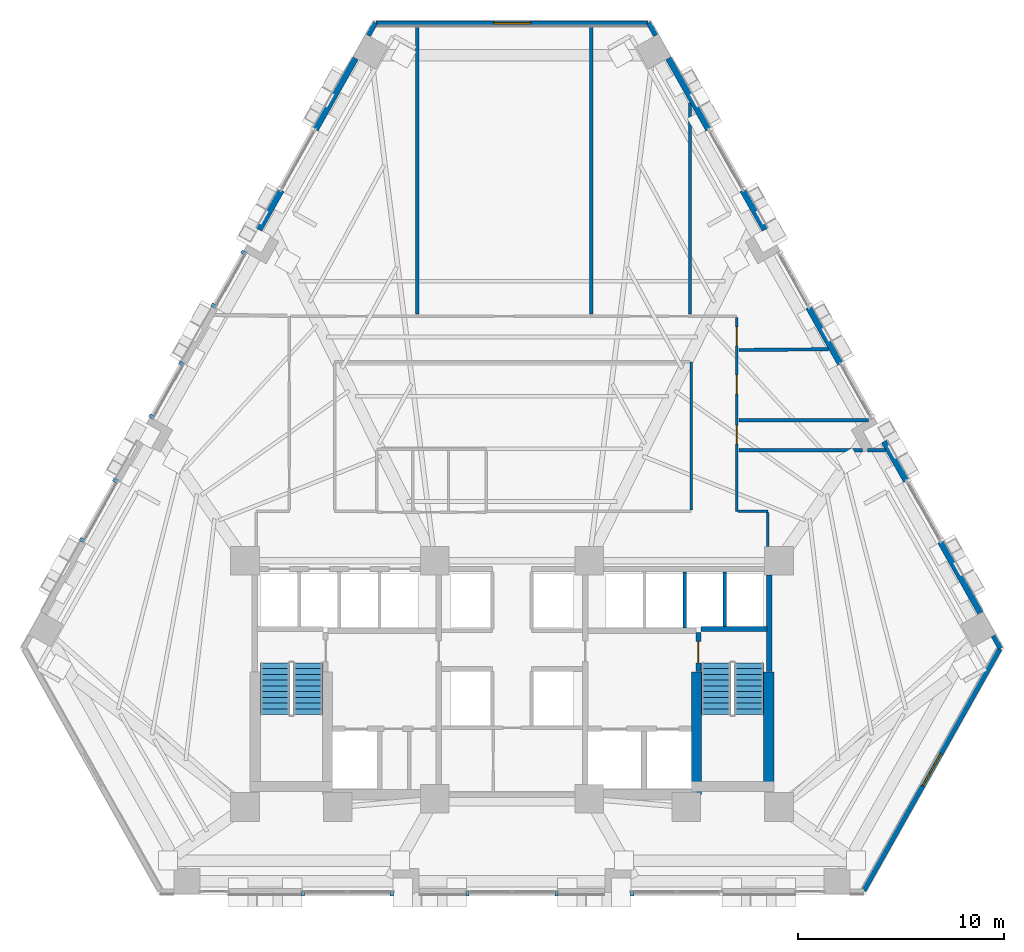
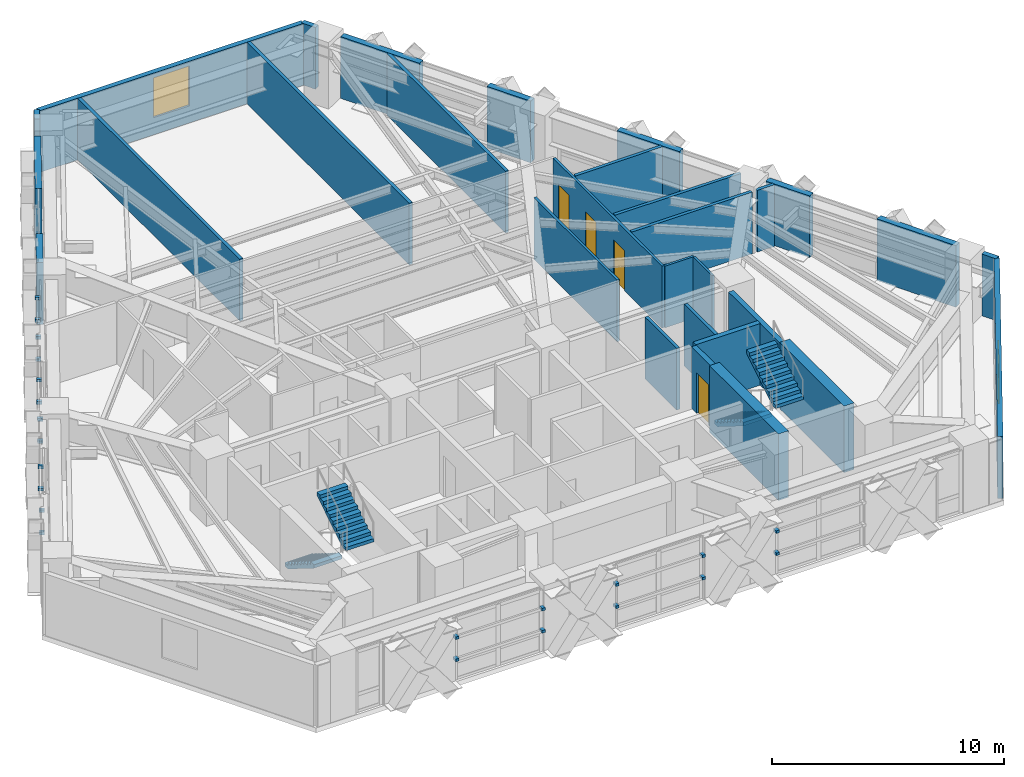
# One storey, part 9 of 14: 30 walls, 22 discrete accessories, 4 doors, 4 stair flights, 2 windows, 6 openings, 2 elements without a shape of their own.
"""IFC4 building model written with IfcOpenShell, lengths in metres."""

from ifc_helpers import new_model, si_unit, direction, frame, frame_2d, origin, origin_2d, place, context, subcontext, project, spatial, polyline, rectangle, outline, extrude, material, layer, layer_set, type_object, element, fill, aggregate, save


model = new_model("IFC4")

# Units and contexts
model_context = context("Model", 3, precision=1e-05, world=origin(), true_north=direction((0.0, 1.0)))
body_context = subcontext(model_context, "Body", "Model", "MODEL_VIEW")
ifc_project = project(units=[si_unit("LENGTHUNIT", "METRE"), si_unit("AREAUNIT", "SQUARE_METRE"), si_unit("VOLUMEUNIT", "CUBIC_METRE"), si_unit("PLANEANGLEUNIT", "RADIAN"), si_unit("MASSUNIT", "GRAM", prefix="KILO")], contexts=[model_context])

# Site, building, storey
site_placement = place(None, origin())
site = spatial("IfcSite", under=ifc_project, at=site_placement, CompositionType="ELEMENT")
building_placement = place(site_placement, origin())
building = spatial("IfcBuilding", under=site, at=building_placement, Name="Quenlor Broadcast Tower", CompositionType="ELEMENT")
storey_placement = place(building_placement, frame((0.0, 0.0, 73.10009765625)))
storey = spatial("IfcBuildingStorey", under=building, at=storey_placement, Name="L19", CompositionType="ELEMENT", Elevation=73.10009765625)

# Walls
ifc_material_1 = material(Name="Concrete C65/80", Category="concrete")
ifc_layer_1 = layer(ifc_material_1, 0.5)
ifc_layer_set_1 = layer_set([ifc_layer_1], Name="Core Concrete C65/80 Shear Wall 500")
wall_type_1 = type_object("IfcWallType", Name="Core Concrete C65/80 Shear Wall 500", PredefinedType="SHEAR", material=ifc_layer_set_1)
wall_1_placement = place(storey_placement, frame((12.449951171875, -15.75, 0.0), z_axis=(0.0, 0.0, 1.0), x_axis=(0.0, 1.0, 0.0)))
element("IfcWall", 1, at=wall_1_placement, inside=storey, type_object=wall_type_1, Name="L19 Core Shear Wall WF-E", PredefinedType="SHEAR", context=body_context, shape_type="SweptSolid", body=[
    extrude(rectangle(XDim=5.550048828125, YDim=0.5, at=frame_2d((2.77490234375, 0.0))), origin(), (0.0, 0.0, 1.0), 3.5),
])
wall_2_placement = place(storey_placement, frame((8.949951171875, -16.14990234375, 0.0), z_axis=(0.0, 0.0, 1.0), x_axis=(0.0, 1.0, 0.0)))
element("IfcWall", 2, at=wall_2_placement, inside=storey, type_object=wall_type_1, Name="L19 Core Shear Wall WI-E", PredefinedType="SHEAR", context=body_context, shape_type="SweptSolid", body=[
    extrude(rectangle(XDim=5.949951171875, YDim=0.5, at=frame_2d((2.97509765625, 0.0))), origin(), (0.0, 0.0, 1.0), 3.5),
])

# Wall, opening, door
ifc_material_2 = material(Name="Concrete C40/50", Category="concrete")
ifc_layer_2 = layer(ifc_material_2, 0.25)
ifc_layer_set_2 = layer_set([ifc_layer_2], Name="Fire Rated Concrete C40/50 Core Wall 250")
wall_type_2 = type_object("IfcWallType", Name="Fire Rated Concrete C40/50 Core Wall 250", PredefinedType="PARTITIONING", material=ifc_layer_set_2)
wall_3_placement = place(storey_placement, frame((9.0400390625, -10.179931640625, 0.0), z_axis=(0.0, 0.0, 1.0), x_axis=(0.0, 1.0, 0.0)))
wall_3 = element("IfcWall", 3, at=wall_3_placement, inside=storey, type_object=wall_type_2, Name="L19 Interior Wall CW-ST2-DR", PredefinedType="PARTITIONING", context=body_context, shape_type="SweptSolid", body=[
    extrude(rectangle(XDim=1.89990234375, YDim=0.25, at=frame_2d((0.949951171875, 0.0))), origin(), (0.0, 0.0, 1.0), 3.25),
])
opening_1_placement = place(wall_3_placement, frame((0.419921875, 0.0, 0.0)))
opening_1 = element("IfcOpeningElement", 4, at=opening_1_placement, cuts=wall_3, Name="Opening FD-1", PredefinedType="OPENING", context=body_context, shape_type="SweptSolid", body=[
    extrude(rectangle(XDim=1.050048828125, YDim=2.14990234375, at=frame_2d((0.52490234375, 1.074951171875))), frame((0.0, 0.135009765625, 0.0), z_axis=(0.0, -1.0, 0.0), x_axis=(1.0, 0.0, 0.0)), (0.0, 0.0, 1.0), 0.27001953125),
])
ifc_material_3 = material(Name="Fire Rated Steel Door Leaf", Category="steel")
door_type_1 = type_object("IfcDoorType", Name="Fire Isolated Stair Door 1050x2150", OperationType="NOTDEFINED", PredefinedType="DOOR", material=ifc_material_3)
door_1_placement = place(opening_1_placement, origin())
door_1 = element("IfcDoor", 5, at=door_1_placement, inside=storey, type_object=door_type_1, Name="L19 Door DR-ST2", OperationType="SINGLE_SWING_RIGHT", OverallHeight=2.14990234375, OverallWidth=1.050048828125, PredefinedType="DOOR", context=body_context, shape_type="SweptSolid", body=[
    extrude(rectangle(XDim=1.050048828125, YDim=2.14990234375, at=frame_2d((0.52490234375, 1.074951171875))), frame((0.0, 0.02490234375, 0.0), z_axis=(0.0, -1.0, 0.0), x_axis=(1.0, 0.0, 0.0)), (0.0, 0.0, 1.0), 0.050048828125),
])
fill(opening_1, door_1)

# Walls
wall_4_placement = place(storey_placement, frame((9.159912109375, -8.1201171875, 0.0), z_axis=(0.0, 0.0, 1.0), x_axis=(1.0, 0.0, 0.0)))
element("IfcWall", 6, at=wall_4_placement, inside=storey, type_object=wall_type_2, Name="L19 Interior Wall CW-ST2-N", PredefinedType="PARTITIONING", context=body_context, shape_type="SweptSolid", body=[
    extrude(rectangle(XDim=3.219970703125, YDim=0.25, at=frame_2d((1.60986328125, 0.0))), origin(), (0.0, 0.0, 1.0), 3.25),
])
wall_5_placement = place(storey_placement, frame((12.47998046875, -10.179931640625, 0.0), z_axis=(0.0, 0.0, 1.0), x_axis=(0.0, 1.0, 0.0)))
element("IfcWall", 7, at=wall_5_placement, inside=storey, type_object=wall_type_2, Name="L19 Interior Wall CW-ST2-E2", PredefinedType="PARTITIONING", context=body_context, shape_type="SweptSolid", body=[
    extrude(rectangle(XDim=4.677978515625, YDim=0.25, at=frame_2d((2.3388671875, 0.0))), origin(), (0.0, 0.0, 1.0), 3.25),
])
ifc_material_4 = material(Name="Gypsum Fireboard Partition", Category="other")
ifc_layer_3 = layer(ifc_material_4, 0.159912109375)
ifc_layer_set_3 = layer_set([ifc_layer_3], Name="Fire Rated Shaft and Corridor Partition 160")
wall_type_3 = type_object("IfcWallType", Name="Fire Rated Shaft and Corridor Partition 160", PredefinedType="PARTITIONING", material=ifc_layer_set_3)
wall_6_placement = place(storey_placement, frame((8.375, -8.072998046875, 0.0), z_axis=(0.0, 0.0, 1.0), x_axis=(0.0, 1.0, 0.0)))
element("IfcWall", 8, at=wall_6_placement, inside=storey, type_object=wall_type_3, Name="L19 Interior Wall CW-PLH-D2", PredefinedType="PARTITIONING", context=body_context, shape_type="SweptSolid", body=[
    extrude(rectangle(XDim=2.73291015625, YDim=0.159912109375, at=frame_2d((1.366455078125, 0.0))), origin(), (0.0, 0.0, 1.0), 3.25),
])
wall_7_placement = place(storey_placement, frame((10.324951171875, -7.992919921875, 0.0), z_axis=(0.0, 0.0, 1.0), x_axis=(0.0, 1.0, 0.0)))
element("IfcWall", 9, at=wall_7_placement, inside=storey, type_object=wall_type_3, Name="L19 Interior Wall CW-PLH-D3", PredefinedType="PARTITIONING", context=body_context, shape_type="SweptSolid", body=[
    extrude(rectangle(XDim=2.65283203125, YDim=0.159912109375, at=frame_2d((1.326416015625, 0.0))), origin(), (0.0, 0.0, 1.0), 3.25),
])
for number, where, z_axis, x_axis, name in (
    (10, (3.840087890625, 21.14990234375, 0.0), (0.0, 0.0, 1.0), (0.0, -1.0, 0.0), "L19 Interior Wall PW-DV-01"),
    (11, (-4.60009765625, 7.159912109375, 0.0), (0.0, 0.0, 1.0), (0.0, 1.0, 0.0), "L19 Interior Wall PW-DV-02"),
):
    element("IfcWall", number, at=place(storey_placement, frame(where, z_axis=z_axis, x_axis=x_axis)), inside=storey, type_object=wall_type_3, Name=name, PredefinedType="PARTITIONING", context=body_context, shape_type="SweptSolid", body=[
        extrude(rectangle(XDim=13.989990234375, YDim=0.159912109375, at=frame_2d((6.9951171875, 0.0))), origin(), (0.0, 0.0, 1.0), 3.25),
    ])
wall_8_placement = place(storey_placement, frame((8.639892578125, 17.403564453125, 0.0), z_axis=(0.0, 0.0, 1.0), x_axis=(0.0, -1.0, 0.0)))
element("IfcWall", 12, at=wall_8_placement, inside=storey, type_object=wall_type_3, Name="L19 Interior Wall PW-DV-03", PredefinedType="PARTITIONING", context=body_context, shape_type="SweptSolid", body=[
    extrude(rectangle(XDim=10.24365234375, YDim=0.159912109375, at=frame_2d((5.121826171875, 0.0))), origin(), (0.0, 0.0, 1.0), 3.25),
])
wall_9_placement = place(storey_placement, frame((15.3583984375, 5.45947265625, 0.0), z_axis=(0.0, 0.0, 1.0), x_axis=(-0.999961735666, -0.008747982883, 0.0)))
element("IfcWall", 13, at=wall_9_placement, inside=storey, type_object=wall_type_3, Name="L19 Interior Wall PW-DV-05", PredefinedType="PARTITIONING", context=body_context, shape_type="SweptSolid", body=[
    extrude(rectangle(XDim=4.353759765625, YDim=0.159912109375, at=frame_2d((2.1767578125, 0.0))), origin(), (0.0, 0.0, 1.0), 3.25),
])
wall_10_placement = place(storey_placement, frame((17.2841796875, 2.02001953125, 0.0), z_axis=(0.0, 0.0, 1.0), x_axis=(-1.0, 0.0, 0.0)))
element("IfcWall", 14, at=wall_10_placement, inside=storey, type_object=wall_type_3, Name="L19 Interior Wall PW-DV-06", PredefinedType="PARTITIONING", context=body_context, shape_type="SweptSolid", body=[
    extrude(rectangle(XDim=6.279296875, YDim=0.159912109375, at=frame_2d((3.1396484375, 0.0))), origin(), (0.0, 0.0, 1.0), 3.25),
])
wall_11_placement = place(storey_placement, frame((18.11279296875, 0.563232421875, 0.0), z_axis=(0.0, 0.0, 1.0), x_axis=(-1.0, 0.0, 0.0)))
element("IfcWall", 15, at=wall_11_placement, inside=storey, type_object=wall_type_3, Name="L19 Interior Wall PW-DV-07", PredefinedType="PARTITIONING", context=body_context, shape_type="SweptSolid", body=[
    extrude(rectangle(XDim=0.860595703125, YDim=0.159912109375, at=frame_2d((0.43017578125, 0.0))), origin(), (0.0, 0.0, 1.0), 3.25),
])
wall_12_placement = place(storey_placement, frame((17.005615234375, 0.563232421875, 0.0), z_axis=(0.0, 0.0, 1.0), x_axis=(-1.0, 0.0, 0.0)))
element("IfcWall", 16, at=wall_12_placement, inside=storey, type_object=wall_type_3, Name="L19 Interior Wall PW-DV-07S2", PredefinedType="PARTITIONING", context=body_context, shape_type="SweptSolid", body=[
    extrude(rectangle(XDim=6.000732421875, YDim=0.159912109375, at=frame_2d((3.00048828125, 0.0))), origin(), (0.0, 0.0, 1.0), 3.25),
])

# Wall, openings, doors
ifc_material_5 = material(Name="Gypsum Plasterboard Partition", Category="other")
ifc_layer_4 = layer(ifc_material_5, 0.1201171875)
ifc_layer_set_4 = layer_set([ifc_layer_4], Name="Standard Office Partition 120")
wall_type_4 = type_object("IfcWallType", Name="Standard Office Partition 120", PredefinedType="PARTITIONING", material=ifc_layer_set_4)
wall_13_placement = place(storey_placement, frame((10.89501953125, 6.988037109375, 0.0), z_axis=(0.0, 0.0, 1.0), x_axis=(0.0, -1.0, 0.0)))
wall_13 = element("IfcWall", 17, at=wall_13_placement, inside=storey, type_object=wall_type_4, Name="L19 Interior Wall PW-CR-04", PredefinedType="PARTITIONING", context=body_context, shape_type="SweptSolid", body=[
    extrude(rectangle(XDim=9.387939453125, YDim=0.1201171875, at=frame_2d((4.69384765625, 0.0))), origin(), (0.0, 0.0, 1.0), 3.25),
])
opening_2_placement = place(wall_13_placement, frame((2.7880859375, 0.0, 0.0)))
opening_2 = element("IfcOpeningElement", 18, at=opening_2_placement, cuts=wall_13, Name="Opening ID-1", PredefinedType="OPENING", context=body_context, shape_type="SweptSolid", body=[
    extrude(rectangle(XDim=0.919921875, YDim=2.1201171875, at=frame_2d((0.4599609375, 1.06005859375))), frame((0.0, 0.070068359375, 0.0), z_axis=(0.0, -1.0, 0.0), x_axis=(1.0, 0.0, 0.0)), (0.0, 0.0, 1.0), 0.14013671875),
])
opening_3_placement = place(wall_13_placement, frame((5.216064453125, 0.0, 0.0)))
opening_3 = element("IfcOpeningElement", 19, at=opening_3_placement, cuts=wall_13, Name="Opening ID-1", PredefinedType="OPENING", context=body_context, shape_type="SweptSolid", body=[
    extrude(rectangle(XDim=0.919921875, YDim=2.1201171875, at=frame_2d((0.4599609375, 1.06005859375))), frame((0.0, 0.070068359375, 0.0), z_axis=(0.0, -1.0, 0.0), x_axis=(1.0, 0.0, 0.0)), (0.0, 0.0, 1.0), 0.14013671875),
])
opening_4_placement = place(wall_13_placement, frame((0.443115234375, 0.0, 0.0)))
opening_4 = element("IfcOpeningElement", 20, at=opening_4_placement, cuts=wall_13, Name="Opening ID-1", PredefinedType="OPENING", context=body_context, shape_type="SweptSolid", body=[
    extrude(rectangle(XDim=0.919921875, YDim=2.1201171875, at=frame_2d((0.4599609375, 1.06005859375))), frame((0.0, 0.070068359375, 0.0), z_axis=(0.0, -1.0, 0.0), x_axis=(1.0, 0.0, 0.0)), (0.0, 0.0, 1.0), 0.14013671875),
])
ifc_material_6 = material(Name="Solid Core Timber Oak", Category="wood")
door_type_2 = type_object("IfcDoorType", Name="Single Leaf Timber Office Door 920x2120", OperationType="NOTDEFINED", PredefinedType="DOOR", material=ifc_material_6)
door_2_placement = place(opening_2_placement, origin())
door_2 = element("IfcDoor", 21, at=door_2_placement, inside=storey, type_object=door_type_2, Name="L19 Door DR-RM06", OperationType="SINGLE_SWING_RIGHT", OverallHeight=2.1201171875, OverallWidth=0.919921875, PredefinedType="DOOR", context=body_context, shape_type="SweptSolid", body=[
    extrude(rectangle(XDim=0.919921875, YDim=2.1201171875, at=frame_2d((0.4599609375, 1.06005859375))), frame((0.0, 0.02490234375, 0.0), z_axis=(0.0, -1.0, 0.0), x_axis=(1.0, 0.0, 0.0)), (0.0, 0.0, 1.0), 0.050048828125),
])
fill(opening_2, door_2)
door_3_placement = place(opening_3_placement, origin())
door_3 = element("IfcDoor", 22, at=door_3_placement, inside=storey, type_object=door_type_2, Name="L19 Door DR-RM07", OperationType="SINGLE_SWING_LEFT", OverallHeight=2.1201171875, OverallWidth=0.919921875, PredefinedType="DOOR", context=body_context, shape_type="SweptSolid", body=[
    extrude(rectangle(XDim=0.919921875, YDim=2.1201171875, at=frame_2d((0.4599609375, 1.06005859375))), frame((0.0, 0.02490234375, 0.0), z_axis=(0.0, -1.0, 0.0), x_axis=(1.0, 0.0, 0.0)), (0.0, 0.0, 1.0), 0.050048828125),
])
fill(opening_3, door_3)
door_4_placement = place(opening_4_placement, origin())
door_4 = element("IfcDoor", 23, at=door_4_placement, inside=storey, type_object=door_type_2, Name="L19 Connecting Door FB01", OperationType="SINGLE_SWING_LEFT", OverallHeight=2.1201171875, OverallWidth=0.919921875, PredefinedType="DOOR", context=body_context, shape_type="SweptSolid", body=[
    extrude(rectangle(XDim=0.919921875, YDim=2.1201171875, at=frame_2d((0.4599609375, 1.06005859375))), frame((0.0, 0.02490234375, 0.0), z_axis=(0.0, -1.0, 0.0), x_axis=(1.0, 0.0, 0.0)), (0.0, 0.0, 1.0), 0.050048828125),
])
fill(opening_4, door_4)

# Walls
wall_14_placement = place(storey_placement, frame((10.95703125, -2.39990234375, 0.0), z_axis=(0.0, 0.0, 1.0), x_axis=(1.0, 0.0, 0.0)))
element("IfcWall", 24, at=wall_14_placement, inside=storey, type_object=wall_type_4, Name="L19 Interior Wall PW-CR-05", PredefinedType="PARTITIONING", context=body_context, shape_type="SweptSolid", body=[
    extrude(rectangle(XDim=1.452880859375, YDim=0.1201171875, at=frame_2d((0.7265625, 0.0))), origin(), (0.0, 0.0, 1.0), 3.25),
])
wall_15_placement = place(storey_placement, frame((12.409912109375, -2.4619140625, 0.0), z_axis=(0.0, 0.0, 1.0), x_axis=(0.0, -1.0, 0.0)))
element("IfcWall", 25, at=wall_15_placement, inside=storey, type_object=wall_type_4, Name="L19 Interior Wall PW-CR-06", PredefinedType="PARTITIONING", context=body_context, shape_type="SweptSolid", body=[
    extrude(rectangle(XDim=1.635986328125, YDim=0.1201171875, at=frame_2d((0.81787109375, 0.0))), origin(), (0.0, 0.0, 1.0), 3.25),
])
wall_16_placement = place(storey_placement, frame((8.695068359375, -2.337890625, 0.0), z_axis=(0.0, 0.0, 1.0), x_axis=(0.0, 1.0, 0.0)))
element("IfcWall", 26, at=wall_16_placement, inside=storey, type_object=wall_type_4, Name="L19 Interior Wall PW-CR-09", PredefinedType="PARTITIONING", context=body_context, shape_type="SweptSolid", body=[
    extrude(rectangle(XDim=7.18798828125, YDim=0.1201171875, at=frame_2d((3.593994140625, 0.0))), origin(), (0.0, 0.0, 1.0), 3.25),
])
ifc_material_7 = material(Name="Precast concrete C40/50", Category="concrete")
ifc_layer_5 = layer(ifc_material_7, 0.239990234375)
ifc_layer_set_5 = layer_set([ifc_layer_5], Name="Terrace Threshold Precast Concrete C40/50 Wall 240")
wall_type_5 = type_object("IfcWallType", Name="Terrace Threshold Precast Concrete C40/50 Wall 240", PredefinedType="STANDARD", material=ifc_layer_set_5)
wall_17_placement = place(storey_placement, frame((6.621826171875, 21.30126953125, 0.0), z_axis=(0.0, 0.0, 1.0), x_axis=(0.490261239633, -0.871575537125, 0.0)))
element("IfcWall", 27, at=wall_17_placement, inside=storey, type_object=wall_type_5, Name="L19 Exterior Wall L19-SHD-NES0", PredefinedType="STANDARD", context=body_context, shape_type="SweptSolid", body=[
    extrude(rectangle(XDim=0.7080078125, YDim=0.239990234375, at=frame_2d((0.35400390625, 0.0))), origin(), (0.0, 0.0, 1.0), 3.25),
])
wall_18_placement = place(storey_placement, frame((23.351806640625, -8.44091796875, 0.0), z_axis=(0.0, 0.0, 1.0), x_axis=(0.490523074758, -0.871428203084, 0.0)))
element("IfcWall", 28, at=wall_18_placement, inside=storey, type_object=wall_type_5, Name="L19 Exterior Wall L19-SHD-NES1", PredefinedType="STANDARD", context=body_context, shape_type="SweptSolid", body=[
    extrude(rectangle(XDim=0.708251953125, YDim=0.239990234375, at=frame_2d((0.35400390625, 0.0))), origin(), (0.0, 0.0, 1.0), 3.25),
])
wall_19_placement = place(storey_placement, frame((-6.968994140625, 20.68408203125, 0.0), z_axis=(0.0, 0.0, 1.0), x_axis=(0.490261239633, 0.871575537125, 0.0)))
element("IfcWall", 29, at=wall_19_placement, inside=storey, type_object=wall_type_5, Name="L19 Exterior Wall L19-SHD-NWS1", PredefinedType="STANDARD", context=body_context, shape_type="SweptSolid", body=[
    extrude(rectangle(XDim=0.7080078125, YDim=0.239990234375, at=frame_2d((0.35400390625, 0.0))), origin(), (0.0, 0.0, 1.0), 3.25),
])

# Wall, opening, window
wall_20_placement = place(storey_placement, frame((6.598388671875, 21.27197265625, 0.0), z_axis=(0.0, 0.0, 1.0), x_axis=(-1.0, 0.0, 0.0)))
wall_20 = element("IfcWall", 30, at=wall_20_placement, inside=storey, type_object=wall_type_5, Name="L19 Exterior Wall L19-CNR-02", PredefinedType="STANDARD", context=body_context, shape_type="SweptSolid", body=[
    extrude(rectangle(XDim=13.186767578125, YDim=0.239990234375, at=frame_2d((6.59326171875, 0.0))), origin(), (0.0, 0.0, 1.0), 3.25),
])
opening_5_placement = place(wall_20_placement, frame((5.693115234375, 0.0, 0.89990234375)))
opening_5 = element("IfcOpeningElement", 31, at=opening_5_placement, cuts=wall_20, Name="Opening WN-1", PredefinedType="OPENING", context=body_context, shape_type="SweptSolid", body=[
    extrude(rectangle(XDim=1.800048828125, YDim=2.10009765625, at=frame_2d((0.89990234375, 1.050048828125))), frame((0.0, 0.1298828125, 0.0), z_axis=(0.0, -1.0, 0.0), x_axis=(1.0, 0.0, 0.0)), (0.0, 0.0, 1.0), 0.260009765625),
])
ifc_material_8 = material(Name="Thermally Broken Aluminium and Low-E Glass", Category="aluminium")
window_type = type_object("IfcWindowType", Name="Tower Acoustic Vision Window 1800x2100", PartitioningType="SINGLE_PANEL", PredefinedType="WINDOW", material=ifc_material_8)
window_1_placement = place(opening_5_placement, origin())
window_1 = element("IfcWindow", 32, at=window_1_placement, inside=storey, type_object=window_type, Name="L19 Corner Chamfer Window 2", OverallHeight=2.10009765625, OverallWidth=1.800048828125, PartitioningType="SINGLE_PANEL", PredefinedType="WINDOW", context=body_context, shape_type="SweptSolid", body=[
    extrude(rectangle(XDim=1.800048828125, YDim=2.10009765625, at=frame_2d((0.89990234375, 1.050048828125))), frame((0.0, 0.030029296875, 0.0), z_axis=(0.0, -1.0, 0.0), x_axis=(1.0, 0.0, 0.0)), (0.0, 0.0, 1.0), 0.06005859375),
])
fill(opening_5, window_1)

wall_21_placement = place(storey_placement, frame((17.06689453125, -20.79638671875, 0.0), z_axis=(0.0, 0.0, 1.0), x_axis=(0.490268135177, 0.871571658345, 0.0)))
wall_21 = element("IfcWall", 33, at=wall_21_placement, inside=storey, type_object=wall_type_5, Name="L19 Exterior Wall L19-CNR-06", PredefinedType="STANDARD", context=body_context, shape_type="SweptSolid", body=[
    extrude(rectangle(XDim=13.44775390625, YDim=0.239990234375, at=frame_2d((6.723876953125, 0.0))), origin(), (0.0, 0.0, 1.0), 3.25),
])
opening_6_placement = place(wall_21_placement, frame((5.823974609375, 0.0, 0.89990234375)))
opening_6 = element("IfcOpeningElement", 34, at=opening_6_placement, cuts=wall_21, Name="Opening WN-1", PredefinedType="OPENING", context=body_context, shape_type="SweptSolid", body=[
    extrude(rectangle(XDim=1.800048828125, YDim=2.10009765625, at=frame_2d((0.89990234375, 1.050048828125))), frame((0.0, 0.1298828125, 0.0), z_axis=(0.0, -1.0, 0.0), x_axis=(1.0, 0.0, 0.0)), (0.0, 0.0, 1.0), 0.260009765625),
])
window_2_placement = place(opening_6_placement, origin())
window_2 = element("IfcWindow", 35, at=window_2_placement, inside=storey, type_object=window_type, Name="L19 Corner Chamfer Window 6", OverallHeight=2.10009765625, OverallWidth=1.800048828125, PartitioningType="SINGLE_PANEL", PredefinedType="WINDOW", context=body_context, shape_type="SweptSolid", body=[
    extrude(rectangle(XDim=1.800048828125, YDim=2.10009765625, at=frame_2d((0.89990234375, 1.050048828125))), frame((0.0, 0.030029296875, 0.0), z_axis=(0.0, -1.0, 0.0), x_axis=(1.0, 0.0, 0.0)), (0.0, 0.0, 1.0), 0.06005859375),
])
fill(opening_6, window_2)

# Walls
ifc_material_9 = material(Name="Precast concrete C40/50", Category="concrete")
ifc_layer_6 = layer(ifc_material_9, 0.300048828125)
ifc_layer_set_6 = layer_set([ifc_layer_6], Name="Terracotta Precast Concrete C40/50 Spandrel Wall 300")
wall_type_6 = type_object("IfcWallType", Name="Terracotta Precast Concrete C40/50 Spandrel Wall 300", PredefinedType="STANDARD", material=ifc_layer_set_6)
wall_22_placement = place(storey_placement, frame((7.5966796875, 19.568603515625, 0.0), z_axis=(0.0, 0.0, 1.0), x_axis=(0.490240735008, -0.871587070659, 0.0)))
element("IfcWall", 36, at=wall_22_placement, inside=storey, type_object=wall_type_6, Name="L19 Exterior Wall L19-NEA-SP1", PredefinedType="STANDARD", context=body_context, shape_type="SweptSolid", body=[
    extrude(rectangle(XDim=3.95703125, YDim=0.300048828125, at=frame_2d((1.978515625, 0.0))), origin(), (0.0, 0.0, 1.0), 3.25),
])
wall_23_placement = place(storey_placement, frame((11.194091796875, 13.1728515625, 0.0), z_axis=(0.0, 0.0, 1.0), x_axis=(0.490324540864, -0.871539927156, 0.0)))
element("IfcWall", 37, at=wall_23_placement, inside=storey, type_object=wall_type_6, Name="L19 Exterior Wall L19-NEA-SP2", PredefinedType="STANDARD", context=body_context, shape_type="SweptSolid", body=[
    extrude(rectangle(XDim=2.197265625, YDim=0.300048828125, at=frame_2d((1.0986328125, 0.0))), origin(), (0.0, 0.0, 1.0), 3.25),
])
wall_24_placement = place(storey_placement, frame((18.049560546875, 0.985595703125, 0.0), z_axis=(0.0, 0.0, 1.0), x_axis=(0.490277063651, -0.871566635925, 0.0)))
element("IfcWall", 38, at=wall_24_placement, inside=storey, type_object=wall_type_6, Name="L19 Exterior Wall L19-NEC-SP1", PredefinedType="STANDARD", context=body_context, shape_type="SweptSolid", body=[
    extrude(rectangle(XDim=2.197509765625, YDim=0.300048828125, at=frame_2d((1.0986328125, 0.0))), origin(), (0.0, 0.0, 1.0), 3.25),
])
wall_25_placement = place(storey_placement, frame((20.784423828125, -3.87646484375, 0.0), z_axis=(0.0, 0.0, 1.0), x_axis=(0.490267098362, -0.871572241563, 0.0)))
element("IfcWall", 39, at=wall_25_placement, inside=storey, type_object=wall_type_6, Name="L19 Exterior Wall L19-NEC-SP2", PredefinedType="STANDARD", context=body_context, shape_type="SweptSolid", body=[
    extrude(rectangle(XDim=3.956787109375, YDim=0.300048828125, at=frame_2d((1.978515625, 0.0))), origin(), (0.0, 0.0, 1.0), 3.25),
])
wall_26_placement = place(storey_placement, frame((14.390869140625, 7.48974609375, 0.0), z_axis=(0.0, 0.0, 1.0), x_axis=(0.490290775148, -0.871558922738, 0.0)))
element("IfcWall", 40, at=wall_26_placement, inside=storey, type_object=wall_type_6, Name="L19 Exterior Wall L19-NE-SP1", PredefinedType="STANDARD", context=body_context, shape_type="SweptSolid", body=[
    extrude(rectangle(XDim=3.1396484375, YDim=0.300048828125, at=frame_2d((1.56982421875, 0.0))), origin(), (0.0, 0.0, 1.0), 3.25),
])
wall_27_placement = place(storey_placement, frame((-12.271484375, 11.2578125, 0.0), z_axis=(0.0, 0.0, 1.0), x_axis=(0.490324540864, 0.871539927156, 0.0)))
element("IfcWall", 41, at=wall_27_placement, inside=storey, type_object=wall_type_6, Name="L19 Exterior Wall L19-NWC-SP1", PredefinedType="STANDARD", context=body_context, shape_type="SweptSolid", body=[
    extrude(rectangle(XDim=2.197265625, YDim=0.300048828125, at=frame_2d((1.0986328125, 0.0))), origin(), (0.0, 0.0, 1.0), 3.25),
])
wall_28_placement = place(storey_placement, frame((-9.53662109375, 16.11962890625, 0.0), z_axis=(0.0, 0.0, 1.0), x_axis=(0.490240735008, 0.871587070659, 0.0)))
element("IfcWall", 42, at=wall_28_placement, inside=storey, type_object=wall_type_6, Name="L19 Exterior Wall L19-NWC-SP2", PredefinedType="STANDARD", context=body_context, shape_type="SweptSolid", body=[
    extrude(rectangle(XDim=3.95703125, YDim=0.300048828125, at=frame_2d((1.978515625, 0.0))), origin(), (0.0, 0.0, 1.0), 3.25),
])

# Stair, stair flights
ifc_material_10 = material(Name="Precast concrete C40/50", Category="concrete")
stair_type = type_object("IfcStairType", Name="Precast Concrete C40/50 Dogleg Stair H350", PredefinedType="HALF_TURN_STAIR", material=ifc_material_10)
stair_1_placement = place(storey_placement, origin())
stair_1 = element("IfcStair", 43, at=stair_1_placement, inside=storey, type_object=stair_type, Name="L19 West Core Fire-Isolated Exit Stair ST-1", PredefinedType="HALF_TURN_STAIR")
ifc_material_11 = material(Name="Precast concrete C40/50", Category="concrete")
ifc_layer_7 = layer(ifc_material_11, 0.159912109375)
ifc_layer_set_7 = layer_set([ifc_layer_7], Name="Precast Concrete C40/50 Stair Flight H350")
stair_flight_type = type_object("IfcStairFlightType", Name="Precast Concrete C40/50 Stair Flight H350", PredefinedType="STRAIGHT", material=ifc_layer_set_7)
stair_flight_1_placement = place(storey_placement, frame((-11.5, -9.75, 0.0), z_axis=(0.0, 0.0, 1.0), x_axis=(0.0, -1.0, 0.0)))
stair_flight_1 = element("IfcStairFlight", 44, at=stair_flight_1_placement, type_object=stair_flight_type, Name="ST-1 flight 1", NumberOfRisers=10, NumberOfTreads=9, PredefinedType="STRAIGHT", RiserHeight=0.175, TreadLength=0.28, context=body_context, shape_type="SweptSolid", body=[
    extrude(outline(polyline([(0.0, 0.0), (0.0, 0.175048828125), (0.280029296875, 0.175048828125), (0.280029296875, 0.35009765625), (0.56005859375, 0.35009765625), (0.56005859375, 0.52490234375), (0.840087890625, 0.52490234375), (0.840087890625, 0.699951171875), (1.1201171875, 0.699951171875), (1.1201171875, 0.875), (1.39990234375, 0.875), (1.39990234375, 1.050048828125), (1.679931640625, 1.050048828125), (1.679931640625, 1.22509765625), (1.9599609375, 1.22509765625), (1.9599609375, 1.39990234375), (2.239990234375, 1.39990234375), (2.239990234375, 1.574951171875), (2.52001953125, 1.574951171875), (2.52001953125, 1.75), (2.52001953125, 1.398193359375), (0.28271484375, 0.0), (0.0, 0.0)])), frame((0.0, 0.699951171875, 0.0), z_axis=(0.0, -1.0, 0.0), x_axis=(1.0, 0.0, 0.0)), (0.0, 0.0, 1.0), 1.39990234375),
])
stair_flight_2_placement = place(storey_placement, frame((-9.89990234375, -12.27001953125, 1.75), z_axis=(0.0, 0.0, 1.0), x_axis=(0.0, 1.0, 0.0)))
stair_flight_2 = element("IfcStairFlight", 45, at=stair_flight_2_placement, type_object=stair_flight_type, Name="ST-1 flight 2", NumberOfRisers=10, NumberOfTreads=9, PredefinedType="STRAIGHT", RiserHeight=0.175, TreadLength=0.28, context=body_context, shape_type="SweptSolid", body=[
    extrude(outline(polyline([(0.0, 0.0), (0.0, 0.175048828125), (0.280029296875, 0.175048828125), (0.280029296875, 0.35009765625), (0.56005859375, 0.35009765625), (0.56005859375, 0.52490234375), (0.840087890625, 0.52490234375), (0.840087890625, 0.699951171875), (1.1201171875, 0.699951171875), (1.1201171875, 0.875), (1.39990234375, 0.875), (1.39990234375, 1.050048828125), (1.679931640625, 1.050048828125), (1.679931640625, 1.22509765625), (1.9599609375, 1.22509765625), (1.9599609375, 1.39990234375), (2.239990234375, 1.39990234375), (2.239990234375, 1.574951171875), (2.52001953125, 1.574951171875), (2.52001953125, 1.75), (2.52001953125, 1.398193359375), (0.28271484375, 0.0), (0.0, 0.0)])), frame((0.0, 0.699951171875, 0.0), z_axis=(0.0, -1.0, 0.0), x_axis=(1.0, 0.0, 0.0)), (0.0, 0.0, 1.0), 1.39990234375),
])
aggregate(stair_1, [stair_flight_1, stair_flight_2])

stair_2_placement = place(storey_placement, origin())
stair_2 = element("IfcStair", 46, at=stair_2_placement, inside=storey, type_object=stair_type, Name="L19 East Core Fire-Isolated Exit Stair ST-2", PredefinedType="HALF_TURN_STAIR")
stair_flight_3_placement = place(storey_placement, frame((9.89990234375, -9.75, 0.0), z_axis=(0.0, 0.0, 1.0), x_axis=(0.0, -1.0, 0.0)))
stair_flight_3 = element("IfcStairFlight", 47, at=stair_flight_3_placement, type_object=stair_flight_type, Name="ST-2 flight 1", NumberOfRisers=10, NumberOfTreads=9, PredefinedType="STRAIGHT", RiserHeight=0.175, TreadLength=0.28, context=body_context, shape_type="SweptSolid", body=[
    extrude(outline(polyline([(0.0, 0.0), (0.0, 0.175048828125), (0.280029296875, 0.175048828125), (0.280029296875, 0.35009765625), (0.56005859375, 0.35009765625), (0.56005859375, 0.52490234375), (0.840087890625, 0.52490234375), (0.840087890625, 0.699951171875), (1.1201171875, 0.699951171875), (1.1201171875, 0.875), (1.39990234375, 0.875), (1.39990234375, 1.050048828125), (1.679931640625, 1.050048828125), (1.679931640625, 1.22509765625), (1.9599609375, 1.22509765625), (1.9599609375, 1.39990234375), (2.239990234375, 1.39990234375), (2.239990234375, 1.574951171875), (2.52001953125, 1.574951171875), (2.52001953125, 1.75), (2.52001953125, 1.398193359375), (0.28271484375, 0.0), (0.0, 0.0)])), frame((0.0, 0.699951171875, 0.0), z_axis=(0.0, -1.0, 0.0), x_axis=(1.0, 0.0, 0.0)), (0.0, 0.0, 1.0), 1.39990234375),
])
stair_flight_4_placement = place(storey_placement, frame((11.5, -12.27001953125, 1.75), z_axis=(0.0, 0.0, 1.0), x_axis=(0.0, 1.0, 0.0)))
stair_flight_4 = element("IfcStairFlight", 48, at=stair_flight_4_placement, type_object=stair_flight_type, Name="ST-2 flight 2", NumberOfRisers=10, NumberOfTreads=9, PredefinedType="STRAIGHT", RiserHeight=0.175, TreadLength=0.28, context=body_context, shape_type="SweptSolid", body=[
    extrude(outline(polyline([(0.0, 0.0), (0.0, 0.175048828125), (0.280029296875, 0.175048828125), (0.280029296875, 0.35009765625), (0.56005859375, 0.35009765625), (0.56005859375, 0.52490234375), (0.840087890625, 0.52490234375), (0.840087890625, 0.699951171875), (1.1201171875, 0.699951171875), (1.1201171875, 0.875), (1.39990234375, 0.875), (1.39990234375, 1.050048828125), (1.679931640625, 1.050048828125), (1.679931640625, 1.22509765625), (1.9599609375, 1.22509765625), (1.9599609375, 1.39990234375), (2.239990234375, 1.39990234375), (2.239990234375, 1.574951171875), (2.52001953125, 1.574951171875), (2.52001953125, 1.75), (2.52001953125, 1.398193359375), (0.28271484375, 0.0), (0.0, 0.0)])), frame((0.0, 0.699951171875, 0.0), z_axis=(0.0, -1.0, 0.0), x_axis=(1.0, 0.0, 0.0)), (0.0, 0.0, 1.0), 1.39990234375),
])
aggregate(stair_2, [stair_flight_3, stair_flight_4])

# Discrete accessories
ifc_material_12 = material(Name="Aluminium 6063-T6", Category="aluminium")
discrete_accessory_type = type_object("IfcDiscreteAccessoryType", Name="Stainless Mullion Baguette Support Bracket", PredefinedType="BRACKET", material=ifc_material_12)
for number, where, z_axis, x_axis, name in (
    (49, (5.830810546875, -20.949951171875, 1.10009765625), (0.0, 0.0, 1.0), (-1.0, 0.0, 0.0), "L19 Baguette Mullion Bracket 1.2"),
    (50, (5.830810546875, -20.949951171875, 2.27001953125), (0.0, 0.0, 1.0), (-1.0, 0.0, 0.0), "L19 Baguette Mullion Bracket 2.2"),
    (51, (-5.830810546875, -20.949951171875, 1.10009765625), (0.0, 0.0, 1.0), (-1.0, 0.0, 0.0), "L19 Baguette Mullion Bracket 1.1"),
    (52, (-10.134765625, -20.949951171875, 1.10009765625), (0.0, 0.0, 1.0), (-1.0, 0.0, 0.0), "L19 Baguette Mullion Bracket 1.2"),
    (53, (-5.830810546875, -20.949951171875, 2.27001953125), (0.0, 0.0, 1.0), (-1.0, 0.0, 0.0), "L19 Baguette Mullion Bracket 2.1"),
    (54, (-10.134765625, -20.949951171875, 2.27001953125), (0.0, 0.0, 1.0), (-1.0, 0.0, 0.0), "L19 Baguette Mullion Bracket 2.2"),
    (55, (2.154296875, -20.949951171875, 1.10009765625), (0.0, 0.0, 1.0), (-1.0, 0.0, 0.0), "L19 Baguette Mullion Bracket 1.1"),
    (56, (-2.154296875, -20.949951171875, 1.10009765625), (0.0, 0.0, 1.0), (-1.0, 0.0, 0.0), "L19 Baguette Mullion Bracket 1.2"),
    (57, (2.154296875, -20.949951171875, 2.27001953125), (0.0, 0.0, 1.0), (-1.0, 0.0, 0.0), "L19 Baguette Mullion Bracket 2.1"),
    (58, (-2.154296875, -20.949951171875, 2.27001953125), (0.0, 0.0, 1.0), (-1.0, 0.0, 0.0), "L19 Baguette Mullion Bracket 2.2"),
    (59, (-20.860595703125, -3.78759765625, 1.10009765625), (0.0, 0.0, 1.0), (0.49025738277, 0.871577706599, 0.0), "L19 Baguette Mullion Bracket 1.1"),
    (60, (-19.242431640625, -0.91064453125, 1.10009765625), (0.0, 0.0, 1.0), (0.49025738277, 0.871577706599, 0.0), "L19 Baguette Mullion Bracket 1.2"),
    (61, (-20.860595703125, -3.78759765625, 2.27001953125), (0.0, 0.0, 1.0), (0.49025738277, 0.871577706599, 0.0), "L19 Baguette Mullion Bracket 2.1"),
    (62, (-19.242431640625, -0.91064453125, 2.27001953125), (0.0, 0.0, 1.0), (0.49025738277, 0.871577706599, 0.0), "L19 Baguette Mullion Bracket 2.2"),
    (63, (-17.490966796875, 2.202880859375, 1.10009765625), (0.0, 0.0, 1.0), (0.49027411577, 0.871568294172, 0.0), "L19 Baguette Mullion Bracket 1.1"),
    (64, (-16.045654296875, 4.7724609375, 1.10009765625), (0.0, 0.0, 1.0), (0.49027411577, 0.871568294172, 0.0), "L19 Baguette Mullion Bracket 1.2"),
    (65, (-17.490966796875, 2.202880859375, 2.27001953125), (0.0, 0.0, 1.0), (0.49027411577, 0.871568294172, 0.0), "L19 Baguette Mullion Bracket 2.1"),
    (66, (-16.045654296875, 4.7724609375, 2.27001953125), (0.0, 0.0, 1.0), (0.49027411577, 0.871568294172, 0.0), "L19 Baguette Mullion Bracket 2.2"),
    (67, (-14.46728515625, 7.57861328125, 1.10009765625), (0.0, 0.0, 1.0), (0.49027411577, 0.871568294172, 0.0), "L19 Baguette Mullion Bracket 1.1"),
    (68, (-13.021728515625, 10.148193359375, 1.10009765625), (0.0, 0.0, 1.0), (0.49027411577, 0.871568294172, 0.0), "L19 Baguette Mullion Bracket 1.2"),
    (69, (-14.46728515625, 7.57861328125, 2.27001953125), (0.0, 0.0, 1.0), (0.49027411577, 0.871568294172, 0.0), "L19 Baguette Mullion Bracket 2.1"),
    (70, (-13.021728515625, 10.148193359375, 2.27001953125), (0.0, 0.0, 1.0), (0.49027411577, 0.871568294172, 0.0), "L19 Baguette Mullion Bracket 2.2"),
):
    element("IfcDiscreteAccessory", number, at=place(storey_placement, frame(where, z_axis=z_axis, x_axis=x_axis)), inside=storey, type_object=discrete_accessory_type, Name=name, PredefinedType="BRACKET", context=body_context, shape_type="SweptSolid", body=[
        extrude(rectangle(XDim=0.159912109375, YDim=0.239990234375, at=origin_2d()), origin(), (0.0, 0.0, 1.0), 0.139892578125),
    ])

save(model, "model.ifc")
